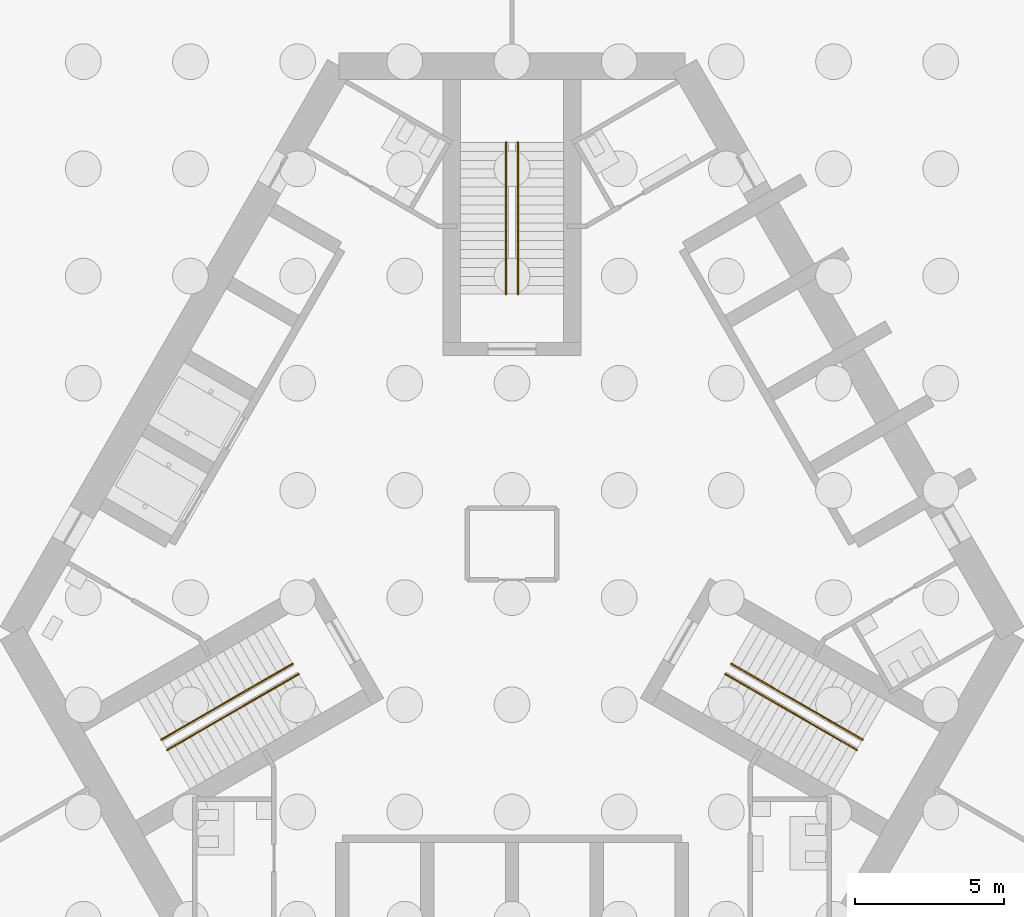
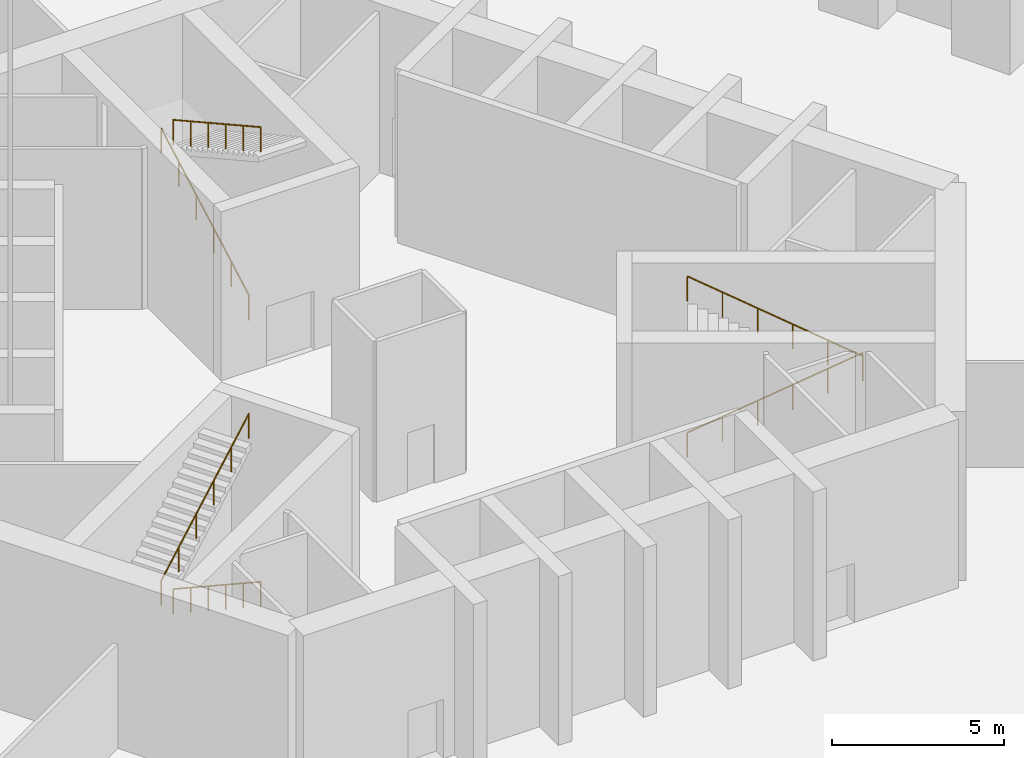
# One storey, part 6 of 12: 6 railings.
"""IFC4 building model written with IfcOpenShell, lengths in metres."""

import ifcopenshell
import ifcopenshell.guid

model = None  # the IFC model being written
_history = None  # IfcOwnerHistory: only IFC2X3 demands one
_inside = {}  # id of a spatial element -> (the spatial element, [elements in it])
_under = {}  # id of a project, library or spatial element -> (it, [spatial elements below it])
_declared = {}  # id of a project -> (the project, [libraries it declares])
_typed = {}  # id of a type object -> (the type object, [elements of that type])
_made_of = {}  # id of a material, layer set ... -> (it, [elements and type objects made of it])


def new_model(schema):
    """Start an empty IFC model of exactly this schema.

    Asked for "IFC4X3", IfcOpenShell would pick the latest addendum, in which some entities
    have other attributes; the version numbers below select the first issue.
    IFC2X3 requires an IfcOwnerHistory on every rooted entity: one is made here for all.
    """
    global model, _history
    if schema == "IFC4X3":
        model = ifcopenshell.file(schema_version=(4, 3, 0, 0))
    else:
        model = ifcopenshell.file(schema=schema)
    _inside.clear()
    _under.clear()
    _declared.clear()
    _typed.clear()
    _made_of.clear()
    _history = None
    if model.schema == "IFC2X3":
        org = make("IfcOrganization", Name="unknown")
        user = make(
            "IfcPersonAndOrganization",
            ThePerson=make("IfcPerson", FamilyName="unknown"),
            TheOrganization=org,
        )
        app = make(
            "IfcApplication",
            ApplicationDeveloper=org,
            Version="unknown",
            ApplicationFullName="unknown",
            ApplicationIdentifier="unknown",
        )
        _history = make(
            "IfcOwnerHistory",
            OwningUser=user,
            OwningApplication=app,
            ChangeAction="ADDED",
            CreationDate=0,
        )
    return model


def make(cls, **values):
    """One entity of the class cls with the attributes given. An attribute that is None is left unset."""
    return model.create_entity(
        cls, **{name: value for name, value in values.items() if value is not None}
    )


def rooted(cls, **values):
    """An entity with a GlobalId (a new one), such as an element, a storey or a relation."""
    return make(cls, GlobalId=ifcopenshell.guid.new(), OwnerHistory=_history, **values)


def si_unit(unit_type, name, prefix=None):
    """IfcSIUnit, for example si_unit("LENGTHUNIT", "METRE", prefix="MILLI")."""
    return make("IfcSIUnit", UnitType=unit_type, Prefix=prefix, Name=name)


def assignment(units):
    """IfcUnitAssignment: the units of a project."""
    return None if units is None else make("IfcUnitAssignment", Units=units)


def point(xyz):
    """IfcCartesianPoint."""
    return None if xyz is None else make("IfcCartesianPoint", Coordinates=xyz)


def direction(xyz):
    """IfcDirection."""
    return None if xyz is None else make("IfcDirection", DirectionRatios=xyz)


def frame(location, z_axis=None, x_axis=None):
    """IfcAxis2Placement3D, a coordinate frame: its origin and axes. An axis left out is left unset."""
    return make(
        "IfcAxis2Placement3D",
        Location=point(location),
        Axis=direction(z_axis),
        RefDirection=direction(x_axis),
    )


def frame_2d(location, x_axis=None):
    """IfcAxis2Placement2D, a coordinate frame in the plane: its origin and x axis."""
    return make(
        "IfcAxis2Placement2D", Location=point(location), RefDirection=direction(x_axis)
    )


def origin():
    """The frame at (0, 0, 0) with its axes left unset."""
    return frame((0.0, 0.0, 0.0))


def origin_2d():
    """The frame at (0, 0) in the plane with its x axis left unset."""
    return frame_2d((0.0, 0.0))


def place(relative_to, where):
    """IfcLocalPlacement: puts the frame where relative to a parent placement (None: the world)."""
    return make(
        "IfcLocalPlacement", PlacementRelTo=relative_to, RelativePlacement=where
    )


def context(
    kind, dimensions, precision=None, world=None, true_north=None, identifier=None
):
    """IfcGeometricRepresentationContext, for example the 3D "Model" context."""
    return make(
        "IfcGeometricRepresentationContext",
        ContextIdentifier=identifier,
        ContextType=kind,
        CoordinateSpaceDimension=dimensions,
        Precision=precision,
        WorldCoordinateSystem=world,
        TrueNorth=true_north,
    )


def subcontext(parent, identifier, kind, view, scale=None):
    """IfcGeometricRepresentationSubContext, for example "Body" below "Model"."""
    return make(
        "IfcGeometricRepresentationSubContext",
        ContextIdentifier=identifier,
        ContextType=kind,
        ParentContext=parent,
        TargetScale=scale,
        TargetView=view,
    )


def project(units=None, contexts=None):
    """IfcProject with its units and contexts."""
    return rooted(
        "IfcProject",
        Name="project",
        RepresentationContexts=contexts,
        UnitsInContext=assignment(units),
    )


def spatial(cls, under=None, at=None, **own):
    """A site, building, storey or space (cls), placed at a placement, below another one or the project."""
    s = rooted(cls, ObjectPlacement=at, **own)
    if under is not None:
        _under.setdefault(under.id(), (under, []))[1].append(s)
    return s


def profile(cls, at=None, kind="AREA", **sizes):
    """A parametric profile (cls). Its sizes go by their IFC names, for example OverallWidth=200.0."""
    return make(cls, ProfileType=kind, Position=at, **sizes)


def circle(**sizes):
    """IfcCircleProfileDef."""
    return profile("IfcCircleProfileDef", **sizes)


def extrude(swept, where, along, depth):
    """IfcExtrudedAreaSolid: the profile swept, set in the frame where, extruded along a direction by depth."""
    return make(
        "IfcExtrudedAreaSolid",
        SweptArea=swept,
        Position=where,
        ExtrudedDirection=direction(along),
        Depth=depth,
    )


def shape(context_of_items, identifier, shape_type, items):
    """IfcShapeRepresentation: the items that make up one representation, for example the "Body"."""
    return make(
        "IfcShapeRepresentation",
        ContextOfItems=context_of_items,
        RepresentationIdentifier=identifier,
        RepresentationType=shape_type,
        Items=items,
    )


def material(Name=None, Category=None):
    """IfcMaterial."""
    return make("IfcMaterial", Name=Name, Category=Category)


def made_of(thing, what):
    """Note that an element or type object is made of a material, layer set ...; save() writes the relation."""
    if what is not None:
        _made_of.setdefault(what.id(), (what, []))[1].append(thing)
    return thing


def type_object(cls, material=None, **own):
    """A type object (cls), such as IfcWallType, which elements share."""
    return made_of(rooted(cls, **own), material)


def element(
    cls,
    number,
    at=None,
    inside=None,
    cuts=None,
    type_object=None,
    material=None,
    context=None,
    identifier="Body",
    shape_type=None,
    held_by="IfcProductDefinitionShape",
    body=None,
    shapes=None,
    **own,
):
    """One element of the class cls, such as IfcWall. Its Tag is "e" and its number.

    at: its placement. inside: the storey or other place that contains it. cuts: it is an
    opening in that element (IfcRelVoidsElement). A single representation is given by context,
    identifier, shape_type and body (its items); several are given by shapes. held_by: the class
    of the entity that holds the representations. save() writes the other relations.
    """
    e = rooted(cls, Tag="e%d" % number, ObjectPlacement=at, **own)
    if body is not None:
        shapes = [shape(context, identifier, shape_type, body)]
    if shapes is not None:
        e.Representation = make(held_by, Representations=shapes)
    if inside is not None:
        _inside.setdefault(inside.id(), (inside, []))[1].append(e)
    if cuts is not None:
        rooted(
            "IfcRelVoidsElement", RelatingBuildingElement=cuts, RelatedOpeningElement=e
        )
    if type_object is not None:
        _typed.setdefault(type_object.id(), (type_object, []))[1].append(e)
    return made_of(e, material)


def aggregate(whole, parts):
    """IfcRelAggregates: a whole, such as a stair, and the parts it consists of."""
    return rooted("IfcRelAggregates", RelatingObject=whole, RelatedObjects=parts)


def save(model, path):
    """Write the relations noted so far, then the file.

    IfcRelAggregates (storeys below a building ...), IfcRelContainedInSpatialStructure (elements
    in a storey), IfcRelDefinesByType, IfcRelAssociatesMaterial and IfcRelDeclares: one each for
    every whole, place, type object, material and project.
    """
    for whole, parts in _under.values():
        aggregate(whole, parts)
    for where, things in _inside.values():
        rooted(
            "IfcRelContainedInSpatialStructure",
            RelatedElements=things,
            RelatingStructure=where,
        )
    for kind, things in _typed.values():
        rooted("IfcRelDefinesByType", RelatedObjects=things, RelatingType=kind)
    for what, things in _made_of.values():
        rooted("IfcRelAssociatesMaterial", RelatedObjects=things, RelatingMaterial=what)
    for by, libraries in _declared.values():
        rooted("IfcRelDeclares", RelatingContext=by, RelatedDefinitions=libraries)
    model.write(path)


model = new_model("IFC4")

# Units and contexts
model_context = context("Model", 3, precision=1e-05, world=origin(), true_north=direction((0.0, 1.0)))
body_context = subcontext(model_context, "Body", "Model", "MODEL_VIEW")
ifc_project = project(units=[si_unit("LENGTHUNIT", "METRE"), si_unit("AREAUNIT", "SQUARE_METRE"), si_unit("VOLUMEUNIT", "CUBIC_METRE"), si_unit("PLANEANGLEUNIT", "RADIAN"), si_unit("MASSUNIT", "GRAM", prefix="KILO")], contexts=[model_context])

# Site, building, storey
site_placement = place(None, origin())
site = spatial("IfcSite", under=ifc_project, at=site_placement, CompositionType="ELEMENT")
building_placement = place(site_placement, origin())
building = spatial("IfcBuilding", under=site, at=building_placement, Name="Trefoil Bronze Tower", CompositionType="ELEMENT")
storey_placement = place(building_placement, frame((0.0, 0.0, -6.0)))
storey = spatial("IfcBuildingStorey", under=building, at=storey_placement, Name="B1", CompositionType="ELEMENT", Elevation=-6.0)

# Railings
ifc_material = material(Name="Steel handrail", Category="steel")
railing_type = type_object("IfcRailingType", Name="Handrail 900", PredefinedType="HANDRAIL", material=ifc_material)
railing_1_placement = place(storey_placement, frame((7.365966796875, -4.021728515625, 0.166748046875)))
element("IfcRailing", 1, at=railing_1_placement, inside=storey, type_object=railing_type, Name="Handrail ST1 flight 1 B1", PredefinedType="HANDRAIL", context=body_context, shape_type="SweptSolid", body=[
    extrude(circle(Radius=0.02392578125, at=origin_2d()), frame((0.0, 0.0, 0.8759765625), z_axis=(0.757046119685, -0.437087320773, 0.485629330548), x_axis=(0.500005610874, 0.86602216432, 0.0)), (0.0, 0.0, 1.0), 5.834228515625),
    extrude(circle(Radius=0.02099609375, at=origin_2d()), origin(), (0.0, 0.0, 1.0), 0.851806640625),
    extrude(circle(Radius=0.02099609375, at=origin_2d()), frame((0.88330078125, -0.510009765625, 0.566650390625)), (0.0, 0.0, 1.0), 0.851806640625),
    extrude(circle(Radius=0.02099609375, at=origin_2d()), frame((1.7666015625, -1.02001953125, 1.13330078125)), (0.0, 0.0, 1.0), 0.851806640625),
    extrude(circle(Radius=0.02099609375, at=origin_2d()), frame((2.650146484375, -1.530029296875, 1.699951171875)), (0.0, 0.0, 1.0), 0.851806640625),
    extrude(circle(Radius=0.02099609375, at=origin_2d()), frame((3.533447265625, -2.0400390625, 2.2666015625)), (0.0, 0.0, 1.0), 0.851806640625),
    extrude(circle(Radius=0.02099609375, at=origin_2d()), frame((4.416748046875, -2.550048828125, 2.833251953125)), (0.0, 0.0, 1.0), 0.851806640625),
])
railing_2_placement = place(storey_placement, frame((11.582763671875, -6.918212890625, 3.166748046875)))
element("IfcRailing", 2, at=railing_2_placement, inside=storey, type_object=railing_type, Name="Handrail ST1 flight 2 B1", PredefinedType="HANDRAIL", context=body_context, shape_type="SweptSolid", body=[
    extrude(circle(Radius=0.02392578125, at=origin_2d()), frame((0.0, 0.0, 0.8759765625), z_axis=(-0.757046119685, 0.437087320773, 0.485629330548), x_axis=(-0.500005610874, -0.86602216432, 0.0)), (0.0, 0.0, 1.0), 5.834228515625),
    extrude(circle(Radius=0.02099609375, at=origin_2d()), origin(), (0.0, 0.0, 1.0), 0.851806640625),
    extrude(circle(Radius=0.02099609375, at=origin_2d()), frame((-0.88330078125, 0.510009765625, 0.566650390625)), (0.0, 0.0, 1.0), 0.851806640625),
    extrude(circle(Radius=0.02099609375, at=origin_2d()), frame((-1.7666015625, 1.02001953125, 1.13330078125)), (0.0, 0.0, 1.0), 0.851806640625),
    extrude(circle(Radius=0.02099609375, at=origin_2d()), frame((-2.650146484375, 1.530029296875, 1.699951171875)), (0.0, 0.0, 1.0), 0.851806640625),
    extrude(circle(Radius=0.02099609375, at=origin_2d()), frame((-3.533447265625, 2.0400390625, 2.2666015625)), (0.0, 0.0, 1.0), 0.851806640625),
    extrude(circle(Radius=0.02099609375, at=origin_2d()), frame((-4.416748046875, 2.550048828125, 2.833251953125)), (0.0, 0.0, 1.0), 0.851806640625),
])
railing_3_placement = place(storey_placement, frame((-0.199951171875, 8.389892578125, 0.166748046875)))
element("IfcRailing", 3, at=railing_3_placement, inside=storey, type_object=railing_type, Name="Handrail ST2 flight 1 B1", PredefinedType="HANDRAIL", context=body_context, shape_type="SweptSolid", body=[
    extrude(circle(Radius=0.02392578125, at=origin_2d()), frame((0.0, 0.0, 0.8759765625), z_axis=(0.0, 0.874167145328, 0.485625166182), x_axis=(-1.0, 0.0, 0.0)), (0.0, 0.0, 1.0), 5.834228515625),
    extrude(circle(Radius=0.02099609375, at=origin_2d()), origin(), (0.0, 0.0, 1.0), 0.851806640625),
    extrude(circle(Radius=0.02099609375, at=origin_2d()), frame((0.0, 1.02001953125, 0.566650390625)), (0.0, 0.0, 1.0), 0.851806640625),
    extrude(circle(Radius=0.02099609375, at=origin_2d()), frame((0.0, 2.0400390625, 1.13330078125)), (0.0, 0.0, 1.0), 0.851806640625),
    extrude(circle(Radius=0.02099609375, at=origin_2d()), frame((0.0, 3.06005859375, 1.699951171875)), (0.0, 0.0, 1.0), 0.851806640625),
    extrude(circle(Radius=0.02099609375, at=origin_2d()), frame((0.0, 4.080078125, 2.2666015625)), (0.0, 0.0, 1.0), 0.851806640625),
    extrude(circle(Radius=0.02099609375, at=origin_2d()), frame((0.0, 5.10009765625, 2.833251953125)), (0.0, 0.0, 1.0), 0.851806640625),
])
railing_4_placement = place(storey_placement, frame((0.199951171875, 13.489990234375, 3.166748046875)))
element("IfcRailing", 4, at=railing_4_placement, inside=storey, type_object=railing_type, Name="Handrail ST2 flight 2 B1", PredefinedType="HANDRAIL", context=body_context, shape_type="SweptSolid", body=[
    extrude(circle(Radius=0.02392578125, at=origin_2d()), frame((0.0, 0.0, 0.8759765625), z_axis=(0.0, -0.874167145328, 0.485625166182), x_axis=(1.0, 0.0, 0.0)), (0.0, 0.0, 1.0), 5.834228515625),
    extrude(circle(Radius=0.02099609375, at=origin_2d()), origin(), (0.0, 0.0, 1.0), 0.851806640625),
    extrude(circle(Radius=0.02099609375, at=origin_2d()), frame((0.0, -1.02001953125, 0.566650390625)), (0.0, 0.0, 1.0), 0.851806640625),
    extrude(circle(Radius=0.02099609375, at=origin_2d()), frame((0.0, -2.0400390625, 1.13330078125)), (0.0, 0.0, 1.0), 0.851806640625),
    extrude(circle(Radius=0.02099609375, at=origin_2d()), frame((0.0, -3.06005859375, 1.699951171875)), (0.0, 0.0, 1.0), 0.851806640625),
    extrude(circle(Radius=0.02099609375, at=origin_2d()), frame((0.0, -4.080078125, 2.2666015625)), (0.0, 0.0, 1.0), 0.851806640625),
    extrude(circle(Radius=0.02099609375, at=origin_2d()), frame((0.0, -5.10009765625, 2.833251953125)), (0.0, 0.0, 1.0), 0.851806640625),
])
railing_5_placement = place(storey_placement, frame((-7.166015625, -4.3681640625, 0.166748046875)))
element("IfcRailing", 5, at=railing_5_placement, inside=storey, type_object=railing_type, Name="Handrail ST3 flight 1 B1", PredefinedType="HANDRAIL", context=body_context, shape_type="SweptSolid", body=[
    extrude(circle(Radius=0.02392578125, at=origin_2d()), frame((0.0, 0.0, 0.8759765625), z_axis=(-0.757046119685, -0.437087320773, 0.485629330548), x_axis=(0.500005610874, -0.86602216432, 0.0)), (0.0, 0.0, 1.0), 5.834228515625),
    extrude(circle(Radius=0.02099609375, at=origin_2d()), origin(), (0.0, 0.0, 1.0), 0.851806640625),
    extrude(circle(Radius=0.02099609375, at=origin_2d()), frame((-0.88330078125, -0.510009765625, 0.566650390625)), (0.0, 0.0, 1.0), 0.851806640625),
    extrude(circle(Radius=0.02099609375, at=origin_2d()), frame((-1.7666015625, -1.02001953125, 1.13330078125)), (0.0, 0.0, 1.0), 0.851806640625),
    extrude(circle(Radius=0.02099609375, at=origin_2d()), frame((-2.650146484375, -1.530029296875, 1.699951171875)), (0.0, 0.0, 1.0), 0.851806640625),
    extrude(circle(Radius=0.02099609375, at=origin_2d()), frame((-3.533447265625, -2.0400390625, 2.2666015625)), (0.0, 0.0, 1.0), 0.851806640625),
    extrude(circle(Radius=0.02099609375, at=origin_2d()), frame((-4.416748046875, -2.550048828125, 2.833251953125)), (0.0, 0.0, 1.0), 0.851806640625),
])
railing_6_placement = place(storey_placement, frame((-11.78271484375, -6.57177734375, 3.166748046875)))
element("IfcRailing", 6, at=railing_6_placement, inside=storey, type_object=railing_type, Name="Handrail ST3 flight 2 B1", PredefinedType="HANDRAIL", context=body_context, shape_type="SweptSolid", body=[
    extrude(circle(Radius=0.02392578125, at=origin_2d()), frame((0.0, 0.0, 0.8759765625), z_axis=(0.757046119685, 0.437087320773, 0.485629330548), x_axis=(-0.500005610874, 0.86602216432, 0.0)), (0.0, 0.0, 1.0), 5.834228515625),
    extrude(circle(Radius=0.02099609375, at=origin_2d()), origin(), (0.0, 0.0, 1.0), 0.851806640625),
    extrude(circle(Radius=0.02099609375, at=origin_2d()), frame((0.88330078125, 0.510009765625, 0.566650390625)), (0.0, 0.0, 1.0), 0.851806640625),
    extrude(circle(Radius=0.02099609375, at=origin_2d()), frame((1.7666015625, 1.02001953125, 1.13330078125)), (0.0, 0.0, 1.0), 0.851806640625),
    extrude(circle(Radius=0.02099609375, at=origin_2d()), frame((2.650146484375, 1.530029296875, 1.699951171875)), (0.0, 0.0, 1.0), 0.851806640625),
    extrude(circle(Radius=0.02099609375, at=origin_2d()), frame((3.533447265625, 2.0400390625, 2.2666015625)), (0.0, 0.0, 1.0), 0.851806640625),
    extrude(circle(Radius=0.02099609375, at=origin_2d()), frame((4.416748046875, 2.550048828125, 2.833251953125)), (0.0, 0.0, 1.0), 0.851806640625),
])

save(model, "model.ifc")
